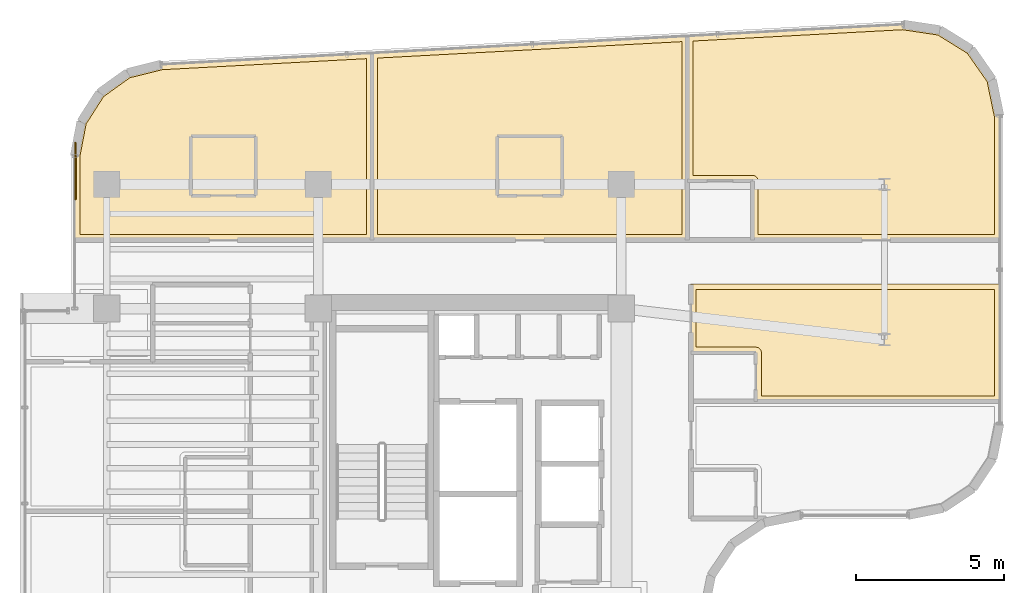
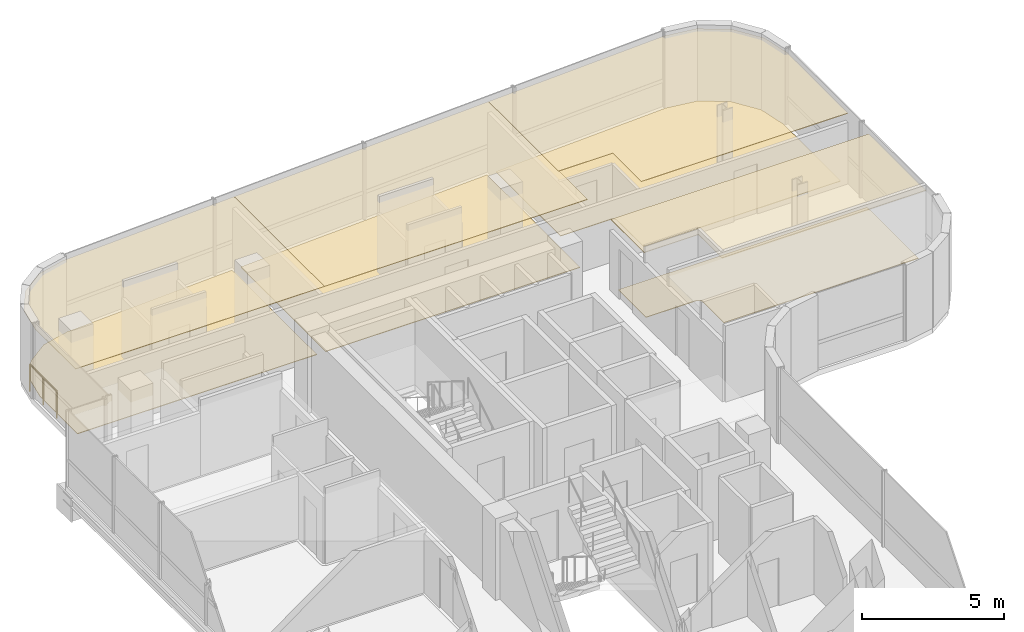
# One storey, part 22 of 22: 8 coverings, 1 railing.
"""IFC4 building model written with IfcOpenShell, lengths in metres."""

from ifc_helpers import new_model, si_unit, direction, frame, origin, origin_2d, place, context, subcontext, project, spatial, polyline, circle, outline, extrude, material, layer, layer_set, type_object, element, save


model = new_model("IFC4")

# Units and contexts
model_context = context("Model", 3, precision=1e-05, world=origin(), true_north=direction((0.0, 1.0)))
body_context = subcontext(model_context, "Body", "Model", "MODEL_VIEW")
ifc_project = project(units=[si_unit("LENGTHUNIT", "METRE"), si_unit("AREAUNIT", "SQUARE_METRE"), si_unit("VOLUMEUNIT", "CUBIC_METRE"), si_unit("PLANEANGLEUNIT", "RADIAN"), si_unit("MASSUNIT", "GRAM", prefix="KILO")], contexts=[model_context])

# Site, building, storey
site_placement = place(None, origin())
site = spatial("IfcSite", under=ifc_project, at=site_placement, CompositionType="ELEMENT")
building_placement = place(site_placement, origin())
building = spatial("IfcBuilding", under=site, at=building_placement, Name="Valdorenza Pilgrim Sanctuary Tower", CompositionType="ELEMENT")
storey_placement = place(building_placement, frame((0.0, 0.0, 216.0)))
storey = spatial("IfcBuildingStorey", under=building, at=storey_placement, Name="L55", CompositionType="ELEMENT", Elevation=216.0)

# Coverings
ifc_material_1 = material(Name="Micro-perforated acoustic mineral ceiling tile", Category="gypsum")
ifc_layer_1 = layer(ifc_material_1, 0.02490234375, Name="Micro-perforated acoustic mineral ceiling tile")
ifc_layer_set_1 = layer_set([ifc_layer_1], Name="Micro-perforated acoustic mineral ceiling tile")
covering_type_1 = type_object("IfcCoveringType", Name="COV-CLG-ACU", PredefinedType="CEILING", material=ifc_layer_set_1)
covering_1_placement = place(storey_placement, frame((0.0, 0.0, 2.9599609375)))
element("IfcCovering", 1, at=covering_1_placement, inside=storey, type_object=covering_type_1, Name="L55 North Guest Room L55-N1 Acoustic Ceiling", PredefinedType="CEILING", context=body_context, shape_type="SweptSolid", body=[
    extrude(outline(polyline([(-30.683349609375, 16.9140625), (-30.68310546875, 16.915283203125), (-30.6826171875, 16.916748046875), (-30.681884765625, 16.918212890625), (-30.681396484375, 16.919189453125), (-30.05419921875, 17.89990234375), (-30.053466796875, 17.901123046875), (-30.052490234375, 17.90234375), (-30.051513671875, 17.9033203125), (-30.05029296875, 17.904052734375), (-29.104736328125, 18.5830078125), (-29.103515625, 18.583740234375), (-29.102294921875, 18.58447265625), (-29.10107421875, 18.5849609375), (-29.099609375, 18.58544921875), (-27.959716796875, 18.86865234375), (-27.958251953125, 18.868896484375), (-27.956787109375, 18.869140625), (-20.83447265625, 19.25341796875), (-20.833740234375, 19.25341796875), (-20.8330078125, 19.25341796875), (-20.83154296875, 19.25341796875), (-20.830078125, 19.253173828125), (-20.82861328125, 19.2529296875), (-20.827392578125, 19.25244140625), (-20.825927734375, 19.251708984375), (-20.82470703125, 19.2509765625), (-20.823486328125, 19.25), (-20.822509765625, 19.2490234375), (-20.8212890625, 19.248046875), (-20.820556640625, 19.246826171875), (-20.81982421875, 19.24560546875), (-20.819091796875, 19.244140625), (-20.818603515625, 19.242919921875), (-20.818359375, 19.241455078125), (-20.818115234375, 19.239990234375), (-20.818115234375, 19.238525390625), (-20.818115234375, 12.919921875), (-20.818115234375, 12.91845703125), (-20.818359375, 12.9169921875), (-20.818603515625, 12.91552734375), (-20.819091796875, 12.914306640625), (-20.81982421875, 12.912841796875), (-20.820556640625, 12.91162109375), (-20.8212890625, 12.910400390625), (-20.822509765625, 12.909423828125), (-20.823486328125, 12.908447265625), (-20.82470703125, 12.907470703125), (-20.825927734375, 12.90673828125), (-20.827392578125, 12.906005859375), (-20.82861328125, 12.905517578125), (-20.830078125, 12.9052734375), (-20.83154296875, 12.905029296875), (-20.8330078125, 12.905029296875), (-30.889892578125, 12.905029296875), (-30.8916015625, 12.905029296875), (-30.892822265625, 12.9052734375), (-30.894287109375, 12.905517578125), (-30.895751953125, 12.906005859375), (-30.897216796875, 12.90673828125), (-30.898193359375, 12.907470703125), (-30.8994140625, 12.908447265625), (-30.900634765625, 12.909423828125), (-30.901611328125, 12.910400390625), (-30.902587890625, 12.91162109375), (-30.9033203125, 12.912841796875), (-30.90380859375, 12.914306640625), (-30.904296875, 12.91552734375), (-30.90478515625, 12.9169921875), (-30.90478515625, 12.91845703125), (-30.905029296875, 12.919921875), (-30.905029296875, 15.757568359375), (-30.90478515625, 15.759033203125), (-30.90478515625, 15.760498046875), (-30.683349609375, 16.9140625)])), origin(), (0.0, 0.0, 1.0), 0.025146484375),
])
covering_2_placement = place(storey_placement, frame((0.0, 0.0, 2.9599609375)))
element("IfcCovering", 2, at=covering_2_placement, inside=storey, type_object=covering_type_1, Name="L55 North Guest Room L55-N2 Acoustic Ceiling", PredefinedType="CEILING", context=body_context, shape_type="SweptSolid", body=[
    extrude(outline(polyline([(-20.845947265625, 19.238525390625), (-20.845947265625, 19.239501953125), (-20.845703125, 19.24072265625), (-20.845703125, 19.2421875), (-20.84521484375, 19.24365234375), (-20.844482421875, 19.2451171875), (-20.843994140625, 19.246337890625), (-20.843017578125, 19.24755859375), (-20.842041015625, 19.248779296875), (-20.841064453125, 19.249755859375), (-20.840087890625, 19.250732421875), (-20.8388671875, 19.25146484375), (-20.83740234375, 19.252197265625), (-20.836181640625, 19.252685546875), (-20.834716796875, 19.253173828125), (-20.833251953125, 19.25341796875), (-20.831787109375, 19.253662109375), (-10.167724609375, 19.8291015625), (-10.16650390625, 19.8291015625), (-10.164794921875, 19.8291015625), (-10.16357421875, 19.828857421875), (-10.162109375, 19.828369140625), (-10.160888671875, 19.827880859375), (-10.15966796875, 19.8271484375), (-10.158203125, 19.826416015625), (-10.1572265625, 19.825439453125), (-10.15625, 19.824462890625), (-10.1552734375, 19.823486328125), (-10.154296875, 19.822265625), (-10.15380859375, 19.821044921875), (-10.153076171875, 19.81982421875), (-10.152587890625, 19.818359375), (-10.15234375, 19.81689453125), (-10.152099609375, 19.815673828125), (-10.152099609375, 19.814208984375), (-10.152099609375, 12.919921875), (-10.152099609375, 12.91845703125), (-10.15234375, 12.9169921875), (-10.152587890625, 12.91552734375), (-10.153076171875, 12.914306640625), (-10.15380859375, 12.912841796875), (-10.154541015625, 12.91162109375), (-10.155517578125, 12.910400390625), (-10.156494140625, 12.909423828125), (-10.157470703125, 12.908447265625), (-10.15869140625, 12.907470703125), (-10.159912109375, 12.90673828125), (-10.161376953125, 12.906005859375), (-10.16259765625, 12.905517578125), (-10.1640625, 12.9052734375), (-10.16552734375, 12.905029296875), (-10.1669921875, 12.905029296875), (-20.8310546875, 12.905029296875), (-20.83251953125, 12.905029296875), (-20.833984375, 12.9052734375), (-20.83544921875, 12.905517578125), (-20.836669921875, 12.906005859375), (-20.838134765625, 12.90673828125), (-20.83935546875, 12.907470703125), (-20.840576171875, 12.908447265625), (-20.841552734375, 12.909423828125), (-20.842529296875, 12.910400390625), (-20.843505859375, 12.91162109375), (-20.84423828125, 12.912841796875), (-20.844970703125, 12.914306640625), (-20.845458984375, 12.91552734375), (-20.845703125, 12.9169921875), (-20.845947265625, 12.91845703125), (-20.845947265625, 12.919921875), (-20.845947265625, 19.238525390625), (-20.845947265625, 19.238525390625)])), origin(), (0.0, 0.0, 1.0), 0.025146484375),
])
covering_3_placement = place(storey_placement, frame((0.0, 0.0, 2.9599609375)))
element("IfcCovering", 3, at=covering_3_placement, inside=storey, type_object=covering_type_1, Name="L55 North Guest Room L55-N3 Acoustic Ceiling", PredefinedType="CEILING", context=body_context, shape_type="SweptSolid", body=[
    extrude(outline(polyline([(-10.179931640625, 19.814208984375), (-10.179931640625, 19.81494140625), (-10.1796875, 19.81640625), (-10.1796875, 19.81787109375), (-10.17919921875, 19.8193359375), (-10.1787109375, 19.82080078125), (-10.177978515625, 19.822021484375), (-10.177001953125, 19.8232421875), (-10.176025390625, 19.82421875), (-10.175048828125, 19.825439453125), (-10.174072265625, 19.826416015625), (-10.1728515625, 19.8271484375), (-10.17138671875, 19.827880859375), (-10.170166015625, 19.828369140625), (-10.168701171875, 19.828857421875), (-10.167236328125, 19.8291015625), (-10.165771484375, 19.8291015625), (-2.87841796875, 20.222412109375), (-2.876953125, 20.222412109375), (-2.87548828125, 20.222412109375), (-1.63232421875, 20.035400390625), (-1.630859375, 20.03515625), (-1.62939453125, 20.034912109375), (-1.628173828125, 20.0341796875), (-1.626708984375, 20.033447265625), (-0.568359375, 19.376708984375), (-0.567138671875, 19.3759765625), (-0.56591796875, 19.375), (-0.56494140625, 19.373779296875), (-0.56396484375, 19.372802734375), (0.148681640625, 18.351318359375), (0.1494140625, 18.349853515625), (0.150146484375, 18.3486328125), (0.150634765625, 18.34716796875), (0.151123046875, 18.345703125), (0.40478515625, 17.114501953125), (0.40478515625, 17.11279296875), (0.405029296875, 17.111328125), (0.405029296875, 12.919921875), (0.40478515625, 12.91845703125), (0.40478515625, 12.9169921875), (0.404296875, 12.91552734375), (0.40380859375, 12.914306640625), (0.4033203125, 12.912841796875), (0.402587890625, 12.91162109375), (0.401611328125, 12.910400390625), (0.400634765625, 12.909423828125), (0.3994140625, 12.908447265625), (0.398193359375, 12.907470703125), (0.397216796875, 12.90673828125), (0.395751953125, 12.906005859375), (0.394287109375, 12.905517578125), (0.392822265625, 12.9052734375), (0.3916015625, 12.905029296875), (0.389892578125, 12.905029296875), (-7.965087890625, 12.905029296875), (-7.966552734375, 12.905029296875), (-7.968017578125, 12.9052734375), (-7.969482421875, 12.905517578125), (-7.970703125, 12.906005859375), (-7.97216796875, 12.90673828125), (-7.973388671875, 12.907470703125), (-7.974609375, 12.908447265625), (-7.9755859375, 12.909423828125), (-7.9765625, 12.910400390625), (-7.9775390625, 12.91162109375), (-7.978271484375, 12.912841796875), (-7.97900390625, 12.914306640625), (-7.9794921875, 12.91552734375), (-7.979736328125, 12.9169921875), (-7.97998046875, 12.91845703125), (-7.97998046875, 12.919921875), (-7.97998046875, 14.906982421875), (-10.1650390625, 14.906982421875), (-10.16650390625, 14.906982421875), (-10.16796875, 14.9072265625), (-10.16943359375, 14.90771484375), (-10.170654296875, 14.908203125), (-10.172119140625, 14.90869140625), (-10.17333984375, 14.909423828125), (-10.174560546875, 14.910400390625), (-10.175537109375, 14.911376953125), (-10.176513671875, 14.91259765625), (-10.177490234375, 14.913818359375), (-10.17822265625, 14.914794921875), (-10.178955078125, 14.916259765625), (-10.179443359375, 14.91748046875), (-10.1796875, 14.919189453125), (-10.179931640625, 14.92041015625), (-10.179931640625, 14.922119140625), (-10.179931640625, 19.814208984375), (-10.179931640625, 19.814208984375)])), origin(), (0.0, 0.0, 1.0), 0.025146484375),
])
covering_4_placement = place(storey_placement, frame((0.0, 0.0, 2.9599609375)))
element("IfcCovering", 4, at=covering_4_placement, inside=storey, type_object=covering_type_1, Name="L55 East Sanctuary Guest Room L55-E2 Acoustic Ceiling", PredefinedType="CEILING", context=body_context, shape_type="SweptSolid", body=[
    extrude(outline(polyline([(-7.863037109375, 9.096923828125), (-10.050048828125, 9.096923828125), (-10.051513671875, 9.09716796875), (-10.052978515625, 9.097412109375), (-10.054443359375, 9.09765625), (-10.0556640625, 9.09814453125), (-10.05712890625, 9.098876953125), (-10.058349609375, 9.099609375), (-10.0595703125, 9.100341796875), (-10.060546875, 9.101318359375), (-10.0615234375, 9.1025390625), (-10.0625, 9.103759765625), (-10.063232421875, 9.10498046875), (-10.06396484375, 9.106201171875), (-10.064453125, 9.107666015625), (-10.064697265625, 9.109130859375), (-10.06494140625, 9.110595703125), (-10.06494140625, 9.112060546875), (-10.06494140625, 11.419921875), (-10.06494140625, 11.42138671875), (-10.064697265625, 11.4228515625), (-10.064453125, 11.42431640625), (-10.06396484375, 11.42578125), (-10.063232421875, 11.427001953125), (-10.0625, 11.42822265625), (-10.0615234375, 11.429443359375), (-10.060546875, 11.4306640625), (-10.0595703125, 11.431640625), (-10.058349609375, 11.4326171875), (-10.05712890625, 11.43310546875), (-10.0556640625, 11.433837890625), (-10.054443359375, 11.434326171875), (-10.052978515625, 11.434814453125), (-10.051513671875, 11.434814453125), (-10.050048828125, 11.43505859375), (0.389892578125, 11.43505859375), (0.3916015625, 11.434814453125), (0.392822265625, 11.434814453125), (0.394287109375, 11.434326171875), (0.395751953125, 11.433837890625), (0.397216796875, 11.43310546875), (0.398193359375, 11.4326171875), (0.3994140625, 11.431640625), (0.400634765625, 11.4306640625), (0.401611328125, 11.429443359375), (0.402587890625, 11.42822265625), (0.4033203125, 11.427001953125), (0.40380859375, 11.42578125), (0.404296875, 11.42431640625), (0.40478515625, 11.4228515625), (0.40478515625, 11.42138671875), (0.405029296875, 11.419921875), (0.405029296875, 7.4619140625), (0.40478515625, 7.46044921875), (0.40478515625, 7.458984375), (0.404296875, 7.45751953125), (0.40380859375, 7.456298828125), (0.4033203125, 7.454833984375), (0.402587890625, 7.45361328125), (0.401611328125, 7.452392578125), (0.400634765625, 7.451416015625), (0.3994140625, 7.450439453125), (0.398193359375, 7.449462890625), (0.397216796875, 7.44873046875), (0.395751953125, 7.447998046875), (0.394287109375, 7.447509765625), (0.392822265625, 7.447265625), (0.3916015625, 7.447021484375), (0.389892578125, 7.447021484375), (-7.847900390625, 7.447021484375), (-7.849609375, 7.447021484375), (-7.850830078125, 7.447265625), (-7.852294921875, 7.447509765625), (-7.853759765625, 7.447998046875), (-7.85498046875, 7.44873046875), (-7.856201171875, 7.449462890625), (-7.857421875, 7.450439453125), (-7.858642578125, 7.451416015625), (-7.859619140625, 7.452392578125), (-7.860595703125, 7.45361328125), (-7.861083984375, 7.454833984375), (-7.86181640625, 7.456298828125), (-7.8623046875, 7.45751953125), (-7.86279296875, 7.458984375), (-7.86279296875, 7.46044921875), (-7.863037109375, 7.4619140625), (-7.863037109375, 9.096923828125)])), origin(), (0.0, 0.0, 1.0), 0.025146484375),
])
ifc_material_2 = material(Name="Engineered European oak timber flooring", Category="wood")
ifc_layer_2 = layer(ifc_material_2, 0.02197265625, Name="Engineered European oak timber flooring")
ifc_layer_set_2 = layer_set([ifc_layer_2], Name="Engineered European oak timber flooring")
covering_type_2 = type_object("IfcCoveringType", Name="COV-FLR-OAK", PredefinedType="FLOORING", material=ifc_layer_set_2)
covering_5_placement = place(storey_placement, origin())
element("IfcCovering", 5, at=covering_5_placement, inside=storey, type_object=covering_type_2, Name="L55 North Guest Room L55-N1 Flooring", PredefinedType="FLOORING", context=body_context, shape_type="SweptSolid", body=[
    extrude(outline(polyline([(-30.498291015625, 16.843505859375), (-29.90869140625, 17.765869140625), (-29.019287109375, 18.404541015625), (-27.92919921875, 18.67529296875), (-21.013671875, 19.048583984375), (-21.012939453125, 13.10009765625), (-30.7099609375, 13.10009765625), (-30.7099609375, 15.740478515625), (-30.498291015625, 16.843505859375)])), origin(), (0.0, 0.0, 1.0), 0.02490234375),
])
covering_6_placement = place(storey_placement, origin())
element("IfcCovering", 6, at=covering_6_placement, inside=storey, type_object=covering_type_2, Name="L55 North Guest Room L55-N2 Flooring", PredefinedType="FLOORING", context=body_context, shape_type="SweptSolid", body=[
    extrude(outline(polyline([(-10.346923828125, 19.624267578125), (-10.346923828125, 13.10009765625), (-20.65087890625, 13.10009765625), (-20.65087890625, 19.068115234375), (-10.346923828125, 19.624267578125)])), origin(), (0.0, 0.0, 1.0), 0.02490234375),
])
covering_7_placement = place(storey_placement, origin())
element("IfcCovering", 7, at=covering_7_placement, inside=storey, type_object=covering_type_2, Name="L55 North Guest Room L55-N3 Flooring", PredefinedType="FLOORING", context=body_context, shape_type="SweptSolid", body=[
    extrude(outline(polyline([(-7.784912109375, 13.10009765625), (-7.784912109375, 14.919921875), (-7.78515625, 14.9287109375), (-7.78515625, 14.928955078125), (-7.787109375, 14.946533203125), (-7.787109375, 14.94677734375), (-7.790283203125, 14.964111328125), (-7.79052734375, 14.96435546875), (-7.795654296875, 14.981201171875), (-7.795654296875, 14.9814453125), (-7.802490234375, 14.997802734375), (-7.802490234375, 14.997802734375), (-7.810791015625, 15.013427734375), (-7.810791015625, 15.013671875), (-7.82080078125, 15.0283203125), (-7.82080078125, 15.028564453125), (-7.83203125, 15.0419921875), (-7.832275390625, 15.042236328125), (-7.8447265625, 15.0546875), (-7.844970703125, 15.054931640625), (-7.8583984375, 15.066162109375), (-7.858642578125, 15.066162109375), (-7.873291015625, 15.076171875), (-7.87353515625, 15.076171875), (-7.88916015625, 15.08447265625), (-7.889404296875, 15.084716796875), (-7.905517578125, 15.09130859375), (-7.90576171875, 15.09130859375), (-7.922607421875, 15.096435546875), (-7.9228515625, 15.0966796875), (-7.940185546875, 15.10009765625), (-7.9404296875, 15.10009765625), (-7.9580078125, 15.101806640625), (-7.958251953125, 15.101806640625), (-7.967041015625, 15.10205078125), (-9.985107421875, 15.10205078125), (-9.985107421875, 19.6435546875), (-2.88623046875, 20.02685546875), (-1.697998046875, 19.84814453125), (-0.70263671875, 19.230712890625), (-0.032470703125, 18.27001953125), (0.2099609375, 17.093017578125), (0.2099609375, 13.10009765625), (-7.784912109375, 13.10009765625)])), origin(), (0.0, 0.0, 1.0), 0.02490234375),
])
covering_8_placement = place(storey_placement, origin())
element("IfcCovering", 8, at=covering_8_placement, inside=storey, type_object=covering_type_2, Name="L55 East Sanctuary Guest Room L55-E2 Flooring", PredefinedType="FLOORING", context=body_context, shape_type="SweptSolid", body=[
    extrude(outline(polyline([(0.2099609375, 7.64208984375), (-7.66796875, 7.64208984375), (-7.66796875, 9.110107421875), (-7.668212890625, 9.118896484375), (-7.668212890625, 9.118896484375), (-7.669921875, 9.13671875), (-7.669921875, 9.13671875), (-7.67333984375, 9.154052734375), (-7.673583984375, 9.154296875), (-7.6787109375, 9.171142578125), (-7.6787109375, 9.17138671875), (-7.685302734375, 9.187744140625), (-7.685546875, 9.18798828125), (-7.69384765625, 9.20361328125), (-7.69384765625, 9.20361328125), (-7.703857421875, 9.21826171875), (-7.703857421875, 9.218505859375), (-7.715087890625, 9.232177734375), (-7.715087890625, 9.232421875), (-7.727783203125, 9.244873046875), (-7.727783203125, 9.244873046875), (-7.741455078125, 9.256103515625), (-7.74169921875, 9.256103515625), (-7.75634765625, 9.26611328125), (-7.756591796875, 9.26611328125), (-7.772216796875, 9.2744140625), (-7.772216796875, 9.274658203125), (-7.78857421875, 9.28125), (-7.788818359375, 9.281494140625), (-7.8056640625, 9.28662109375), (-7.805908203125, 9.28662109375), (-7.8232421875, 9.2900390625), (-7.823486328125, 9.2900390625), (-7.841064453125, 9.291748046875), (-7.84130859375, 9.291748046875), (-7.85009765625, 9.2919921875), (-9.8701171875, 9.2919921875), (-9.8701171875, 11.239990234375), (0.2099609375, 11.239990234375), (0.2099609375, 7.64208984375)])), origin(), (0.0, 0.0, 1.0), 0.02490234375),
])

# Railing
ifc_material_3 = material(Name="Stainless steel Grade 316", Category="steel")
railing_type = type_object("IfcRailingType", Name="RLG-GRD-1120", PredefinedType="GUARDRAIL", material=ifc_material_3)
railing_placement = place(storey_placement, frame((-30.860107421875, 14.300048828125, 0.0)))
element("IfcRailing", 9, at=railing_placement, inside=storey, type_object=railing_type, Name="L55 NW Tangent Safety Sill Guard", PredefinedType="GUARDRAIL", context=body_context, shape_type="SweptSolid", body=[
    extrude(circle(Radius=0.02392578125, at=origin_2d()), frame((0.0, 0.0, 1.17578125), z_axis=(0.0, 1.0, 0.0), x_axis=(-1.0, 0.0, 0.0)), (0.0, 0.0, 1.0), 1.89990234375),
    extrude(circle(Radius=0.02099609375, at=origin_2d()), origin(), (0.0, 0.0, 1.0), 1.15185546875),
    extrude(circle(Radius=0.02099609375, at=origin_2d()), frame((0.0, 0.949951171875, 0.0)), (0.0, 0.0, 1.0), 1.15185546875),
    extrude(circle(Radius=0.02099609375, at=origin_2d()), frame((0.0, 1.89990234375, 0.0)), (0.0, 0.0, 1.0), 1.15185546875),
])

save(model, "model.ifc")
